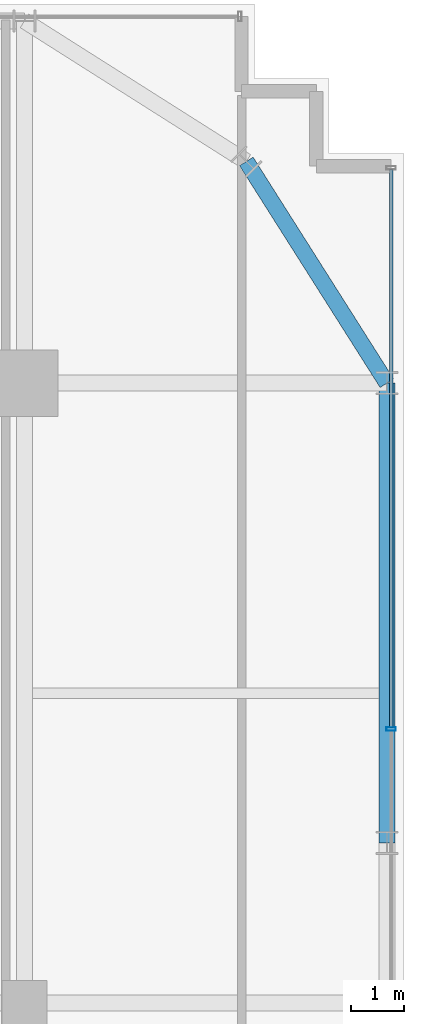
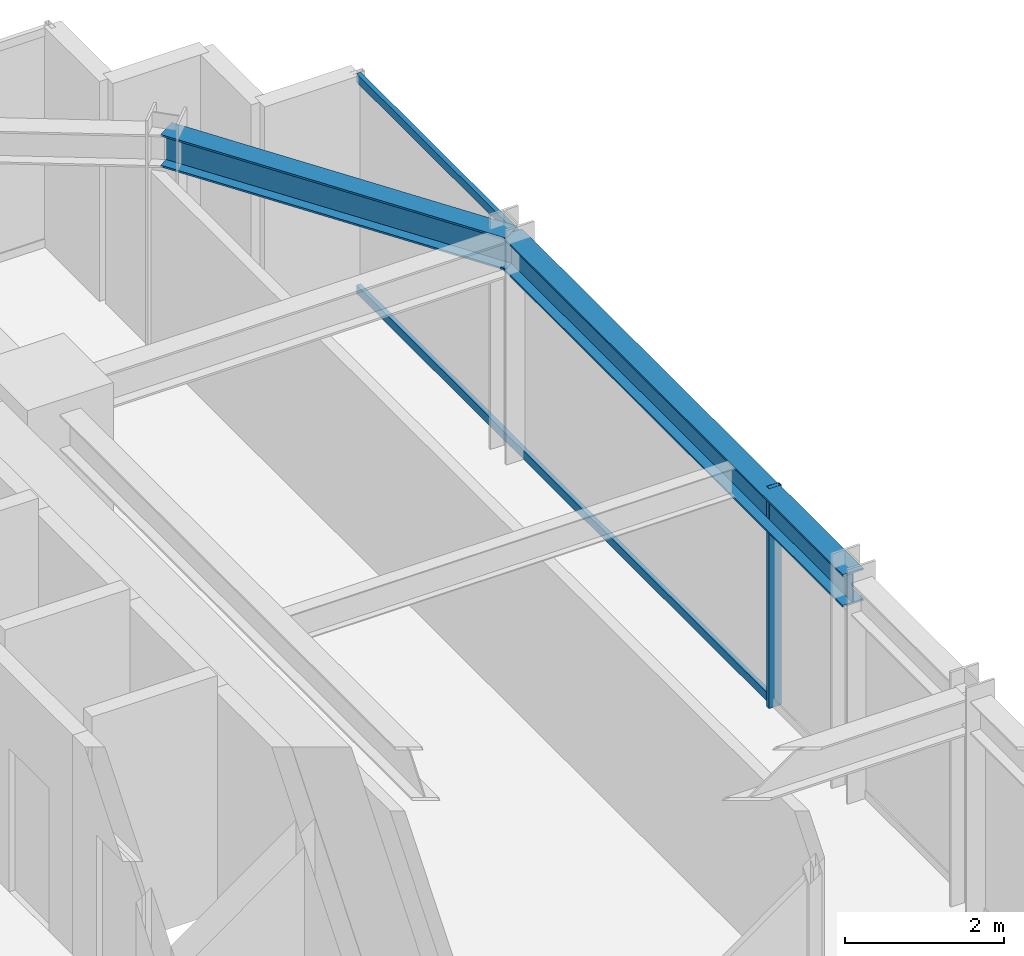
# One storey, part 22 of 32: 3 members, 2 beams, 1 element without a shape of its own.
"""IFC4 building model written with IfcOpenShell, lengths in metres."""

from ifc_helpers import new_model, si_unit, direction, frame, origin, origin_2d, place, context, subcontext, project, spatial, hollow_rectangle, i_section, extrude, source, transform, mapped, material, material_profile, profile_set, type_object, element, aggregate, save


model = new_model("IFC4")

# Units and contexts
model_context = context("Model", 3, precision=1e-05, world=origin(), true_north=direction((0.0, 1.0)))
body_context = subcontext(model_context, "Body", "Model", "MODEL_VIEW")
ifc_project = project(units=[si_unit("LENGTHUNIT", "METRE"), si_unit("AREAUNIT", "SQUARE_METRE"), si_unit("VOLUMEUNIT", "CUBIC_METRE"), si_unit("PLANEANGLEUNIT", "RADIAN"), si_unit("MASSUNIT", "GRAM", prefix="KILO")], contexts=[model_context])

# Site, building, storey
site_placement = place(None, origin())
site = spatial("IfcSite", under=ifc_project, at=site_placement, CompositionType="ELEMENT")
building_placement = place(site_placement, origin())
building = spatial("IfcBuilding", under=site, at=building_placement, Name="Nahalor Promenade Grand Hotel", CompositionType="ELEMENT")
storey_placement = place(building_placement, frame((0.0, 0.0, 110.199951171875)))
storey = spatial("IfcBuildingStorey", under=building, at=storey_placement, Name="L27", CompositionType="ELEMENT", Elevation=110.199951171875)

# Beams
ifc_material_1 = material(Name="Steel S355JR", Category="steel")
ifc_material_profile_1 = material_profile(ifc_material_1, i_section(OverallWidth=0.3, OverallDepth=0.5, WebThickness=0.0145, FlangeThickness=0.028, at=origin_2d()), Name="HEB 500")
ifc_profile_set_1 = profile_set([ifc_material_profile_1], Name="Steel S355JR")
beam_type = type_object("IfcBeamType", Name="Beam-Spandrel-HEB500", PredefinedType="SPANDREL", material=ifc_profile_set_1)
shared_shape_1 = source(origin(), body_context, "Body", "SweptSolid", [
    extrude(i_section(OverallWidth=0.3, OverallDepth=0.5, WebThickness=0.0145, FlangeThickness=0.028, at=origin_2d()), origin(), (0.0, 0.0, 1.0), 8.60009765625),
])
beam_1_placement = place(storey_placement, frame((23.780029296875, 8.39990234375, 3.130126953125), z_axis=(0.0, 1.0, 0.0), x_axis=(-1.0, 0.0, 0.0)))
element("IfcBeam", 1, at=beam_1_placement, inside=storey, type_object=beam_type, Name="BM-L27-SP-E-4", PredefinedType="SPANDREL", context=body_context, shape_type="MappedRepresentation", body=[
    mapped(shared_shape_1, transform((0.0, 0.0, 0.0), scale=1.0)),
])
shared_shape_2 = source(origin(), body_context, "Body", "SweptSolid", [
    extrude(i_section(OverallWidth=0.3, OverallDepth=0.5, WebThickness=0.0145, FlangeThickness=0.028, at=origin_2d()), origin(), (0.0, 0.0, 1.0), 4.9130859375),
])
beam_2_placement = place(storey_placement, frame((21.14990234375, 21.14990234375, 3.130126953125), z_axis=(0.535321591403, -0.844648325505, 0.0), x_axis=(0.844648325505, 0.535321591403, 0.0)))
element("IfcBeam", 2, at=beam_2_placement, inside=storey, type_object=beam_type, Name="BM-L27-SPC-NE-2", PredefinedType="SPANDREL", context=body_context, shape_type="MappedRepresentation", body=[
    mapped(shared_shape_2, transform((0.0, 0.0, 0.0), scale=1.0)),
])

# Curtain wall, members
ifc_material_2 = material(Name="Anodised Bronze Aluminium EN AW-6063 T6", Category="aluminium")
curtain_wall_type = type_object("IfcCurtainWallType", Name="CW2 Typical Hotel Flush Bronze Unitised Curtain Wall", PredefinedType="USERDEFINED", material=ifc_material_2)
curtain_wall_placement = place(storey_placement, origin())
curtain_wall = element("IfcCurtainWall", 3, at=curtain_wall_placement, inside=storey, type_object=curtain_wall_type, Name="L27 Curtain Wall CW-L27-E-1", ObjectType="UNITISED_CURTAIN_WALL", PredefinedType="USERDEFINED")
ifc_material_profile_2 = material_profile(ifc_material_2, hollow_rectangle(XDim=0.065, YDim=0.13, WallThickness=0.004, at=origin_2d()), Name="CWT 65x130x4")
ifc_profile_set_2 = profile_set([ifc_material_profile_2], Name="Anodised Bronze Aluminium EN AW-6063 T6")
member_type_1 = type_object("IfcMemberType", Name="CWT2 Typical Bronze Transom 65x130", PredefinedType="USERDEFINED", material=ifc_profile_set_2)
shared_shape_3 = source(origin(), body_context, "Body", "SweptSolid", [
    extrude(hollow_rectangle(XDim=0.065, YDim=0.13, WallThickness=0.004, at=origin_2d()), origin(), (0.0, 0.0, 1.0), 10.4326171875),
])
member_1_placement = place(storey_placement, frame((23.860107421875, 10.5625, 0.06494140625), z_axis=(0.0, 1.0, 0.0), x_axis=(-1.0, 0.0, 0.0)))
member_1 = element("IfcMember", 4, at=member_1_placement, type_object=member_type_1, Name="CW-L27-E-1 Transom 3-0", ObjectType="TRANSOM", PredefinedType="USERDEFINED", context=body_context, shape_type="MappedRepresentation", body=[
    mapped(shared_shape_3, transform((0.0, 0.0, 0.0), scale=1.0)),
])
member_2_placement = place(storey_placement, frame((23.860107421875, 10.5625, 3.31494140625), z_axis=(0.0, 1.0, 0.0), x_axis=(-1.0, 0.0, 0.0)))
member_2 = element("IfcMember", 5, at=member_2_placement, type_object=member_type_1, Name="CW-L27-E-1 Transom 3-1", ObjectType="TRANSOM", PredefinedType="USERDEFINED", context=body_context, shape_type="MappedRepresentation", body=[
    mapped(shared_shape_3, transform((0.0, 0.0, 0.0), scale=1.0)),
])
ifc_material_profile_3 = material_profile(ifc_material_2, hollow_rectangle(XDim=0.065, YDim=0.18, WallThickness=0.004, at=origin_2d()), Name="CWM 65x180x4")
ifc_profile_set_3 = profile_set([ifc_material_profile_3], Name="Anodised Bronze Aluminium EN AW-6063 T6")
member_type_2 = type_object("IfcMemberType", Name="CWM2 Typical Bronze Mullion 65x180", PredefinedType="MULLION", material=ifc_profile_set_3)
shared_shape_4 = source(origin(), body_context, "Body", "SweptSolid", [
    extrude(hollow_rectangle(XDim=0.065, YDim=0.18, WallThickness=0.004, at=origin_2d()), origin(), (0.0, 0.0, 1.0), 3.380126953125),
])
member_3_placement = place(storey_placement, frame((23.860107421875, 10.530029296875, 0.0), z_axis=(0.0, 0.0, 1.0), x_axis=(0.0, 1.0, 0.0)))
member_3 = element("IfcMember", 6, at=member_3_placement, type_object=member_type_2, Name="CW-L27-E-1 Mullion 3", PredefinedType="MULLION", context=body_context, shape_type="MappedRepresentation", body=[
    mapped(shared_shape_4, transform((0.0, 0.0, 0.0), scale=1.0)),
])
aggregate(curtain_wall, [member_3, member_1, member_2])

save(model, "model.ifc")
